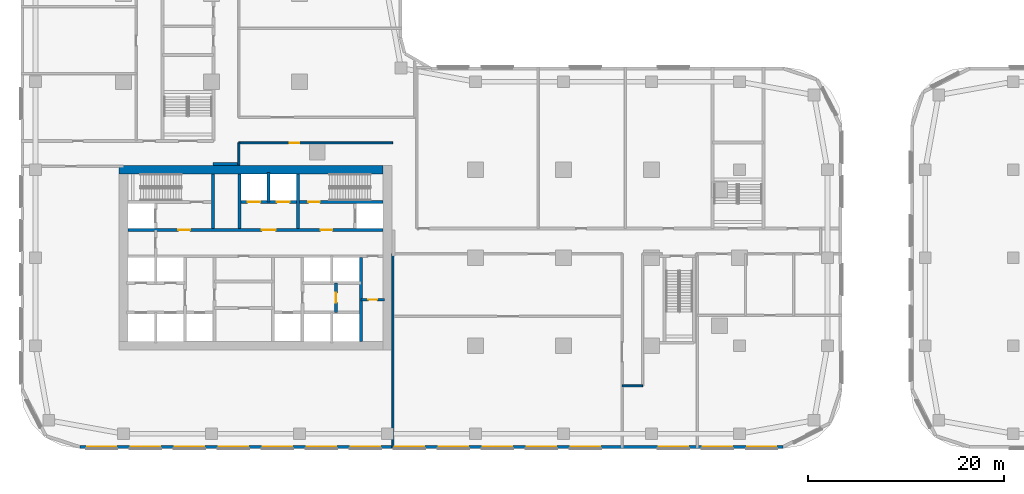
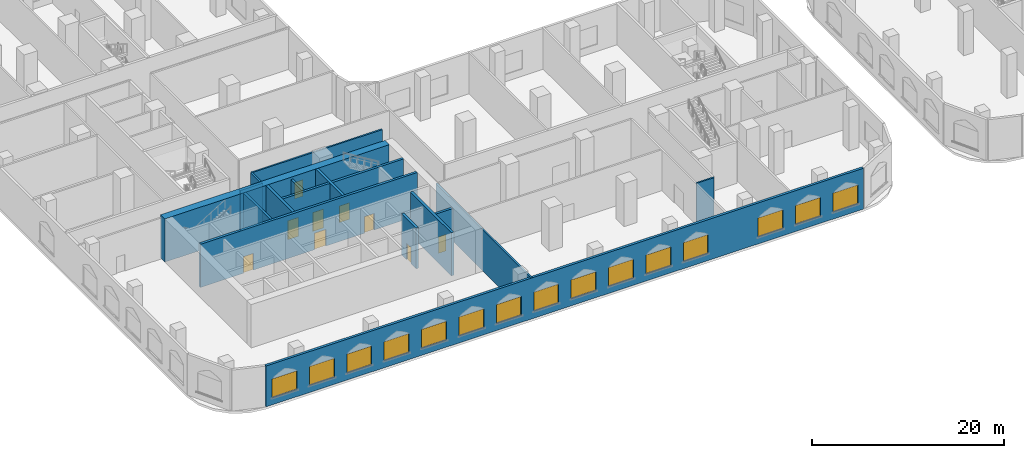
# One storey, part 4 of 31: 16 walls, 15 windows, 9 doors, 24 openings.
"""IFC4 building model written with IfcOpenShell, lengths in metres."""

from ifc_helpers import new_model, si_unit, direction, frame, frame_2d, origin, place, context, subcontext, project, spatial, rectangle, extrude, material, layer, layer_set, type_object, element, fill, save


model = new_model("IFC4")

# Units and contexts
model_context = context("Model", 3, precision=1e-05, world=origin(), true_north=direction((0.0, 1.0)))
body_context = subcontext(model_context, "Body", "Model", "MODEL_VIEW")
ifc_project = project(units=[si_unit("LENGTHUNIT", "METRE"), si_unit("AREAUNIT", "SQUARE_METRE"), si_unit("VOLUMEUNIT", "CUBIC_METRE"), si_unit("PLANEANGLEUNIT", "RADIAN"), si_unit("MASSUNIT", "GRAM", prefix="KILO")], contexts=[model_context])

# Site, building, storey
site_placement = place(None, origin())
site = spatial("IfcSite", under=ifc_project, at=site_placement, CompositionType="ELEMENT")
building_placement = place(site_placement, origin())
building = spatial("IfcBuilding", under=site, at=building_placement, Name="Ogive Portal Towers", CompositionType="ELEMENT")
storey_placement = place(building_placement, frame((0.0, 0.0, 8.0)))
storey = spatial("IfcBuildingStorey", under=building, at=storey_placement, Name="L01", CompositionType="ELEMENT", Elevation=8.0)

# Wall
ifc_material_1 = material(Name="Concrete C60/75", Category="concrete")
ifc_layer_1 = layer(ifc_material_1, 0.300048828125)
ifc_layer_set_1 = layer_set([ifc_layer_1], Name="CORE WALL 300 C60")
wall_type_1 = type_object("IfcWallType", Name="CORE WALL 300 C60", PredefinedType="SHEAR", material=ifc_layer_set_1)
wall_1_placement = place(storey_placement, frame((55.800048828125, 21.949951171875, 0.0), z_axis=(0.0, 0.0, 1.0), x_axis=(0.0, 1.0, 0.0)))
element("IfcWall", 1, at=wall_1_placement, inside=storey, type_object=wall_type_1, Name="Core wall X5 L01", PredefinedType="SHEAR", context=body_context, shape_type="SweptSolid", body=[
    extrude(rectangle(XDim=8.550048828125, YDim=0.300048828125, at=frame_2d((4.27490234375, 0.0))), origin(), (0.0, 0.0, 1.0), 5.5),
])

# Wall, openings, doors
wall_2_placement = place(storey_placement, frame((31.949951171875, 33.35009765625, 0.0), z_axis=(0.0, 0.0, 1.0), x_axis=(1.0, 0.0, 0.0)))
wall_2 = element("IfcWall", 2, at=wall_2_placement, inside=storey, type_object=wall_type_1, Name="Core wall Y2 L01", PredefinedType="SHEAR", context=body_context, shape_type="SweptSolid", body=[
    extrude(rectangle(XDim=26.10009765625, YDim=0.300048828125, at=frame_2d((13.050048828125, 0.0))), origin(), (0.0, 0.0, 1.0), 5.5),
])
opening_1_placement = place(wall_2_placement, frame((13.699951171875, 0.0, 0.0)))
opening_1 = element("IfcOpeningElement", 3, at=opening_1_placement, cuts=wall_2, Name="Opening D103-002", PredefinedType="OPENING", context=body_context, shape_type="SweptSolid", body=[
    extrude(rectangle(XDim=1.39990234375, YDim=2.10009765625, at=frame_2d((0.699951171875, 1.050048828125))), frame((0.0, 0.16015625, 0.0), z_axis=(0.0, -1.0, 0.0), x_axis=(1.0, 0.0, 0.0)), (0.0, 0.0, 1.0), 0.320068359375),
])
opening_2_placement = place(wall_2_placement, frame((5.175048828125, 0.0, 0.0)))
opening_2 = element("IfcOpeningElement", 4, at=opening_2_placement, cuts=wall_2, Name="Opening D103-003", PredefinedType="OPENING", context=body_context, shape_type="SweptSolid", body=[
    extrude(rectangle(XDim=1.199951171875, YDim=2.10009765625, at=frame_2d((0.60009765625, 1.050048828125))), frame((0.0, 0.16015625, 0.0), z_axis=(0.0, -1.0, 0.0), x_axis=(1.0, 0.0, 0.0)), (0.0, 0.0, 1.0), 0.320068359375),
])
opening_3_placement = place(wall_2_placement, frame((19.72509765625, 0.0, 0.0)))
opening_3 = element("IfcOpeningElement", 5, at=opening_3_placement, cuts=wall_2, Name="Opening D103-004", PredefinedType="OPENING", context=body_context, shape_type="SweptSolid", body=[
    extrude(rectangle(XDim=1.199951171875, YDim=2.10009765625, at=frame_2d((0.60009765625, 1.050048828125))), frame((0.0, 0.16015625, 0.0), z_axis=(0.0, -1.0, 0.0), x_axis=(1.0, 0.0, 0.0)), (0.0, 0.0, 1.0), 0.320068359375),
])
ifc_material_2 = material(Name="Steel fire door", Category="steel")
door_type_1 = type_object("IfcDoorType", Name="DT-SWING-1200x2100-FD90S", OperationType="SINGLE_SWING_LEFT", PredefinedType="DOOR", material=ifc_material_2)
door_1_placement = place(opening_2_placement, origin())
door_1 = element("IfcDoor", 6, at=door_1_placement, inside=storey, type_object=door_type_1, Name="Door D103-003", OperationType="SINGLE_SWING_LEFT", OverallHeight=2.10009765625, OverallWidth=1.199951171875, PredefinedType="DOOR", context=body_context, shape_type="SweptSolid", body=[
    extrude(rectangle(XDim=1.199951171875, YDim=2.10009765625, at=frame_2d((0.60009765625, 1.050048828125))), frame((0.0, 0.02490234375, 0.0), z_axis=(0.0, -1.0, 0.0), x_axis=(1.0, 0.0, 0.0)), (0.0, 0.0, 1.0), 0.050048828125),
])
fill(opening_2, door_1)
door_2_placement = place(opening_3_placement, origin())
door_2 = element("IfcDoor", 7, at=door_2_placement, inside=storey, type_object=door_type_1, Name="Door D103-004", OperationType="SINGLE_SWING_RIGHT", OverallHeight=2.10009765625, OverallWidth=1.199951171875, PredefinedType="DOOR", context=body_context, shape_type="SweptSolid", body=[
    extrude(rectangle(XDim=1.199951171875, YDim=2.10009765625, at=frame_2d((0.60009765625, 1.050048828125))), frame((0.0, 0.02490234375, 0.0), z_axis=(0.0, -1.0, 0.0), x_axis=(1.0, 0.0, 0.0)), (0.0, 0.0, 1.0), 0.050048828125),
])
fill(opening_3, door_2)
door_type_2 = type_object("IfcDoorType", Name="DT-SWING-1400x2100-FD90S", OperationType="SINGLE_SWING_LEFT", PredefinedType="DOOR", material=ifc_material_2)
door_3_placement = place(opening_1_placement, origin())
door_3 = element("IfcDoor", 8, at=door_3_placement, inside=storey, type_object=door_type_2, Name="Door D103-002", OperationType="SINGLE_SWING_RIGHT", OverallHeight=2.10009765625, OverallWidth=1.39990234375, PredefinedType="DOOR", context=body_context, shape_type="SweptSolid", body=[
    extrude(rectangle(XDim=1.39990234375, YDim=2.10009765625, at=frame_2d((0.699951171875, 1.050048828125))), frame((0.0, 0.02490234375, 0.0), z_axis=(0.0, -1.0, 0.0), x_axis=(1.0, 0.0, 0.0)), (0.0, 0.0, 1.0), 0.050048828125),
])
fill(opening_1, door_3)

wall_3_placement = place(storey_placement, frame((43.5, 36.199951171875, 0.0), z_axis=(0.0, 0.0, 1.0), x_axis=(1.0, 0.0, 0.0)))
wall_3 = element("IfcWall", 9, at=wall_3_placement, inside=storey, type_object=wall_type_1, Name="Core wall Y3b L01", PredefinedType="SHEAR", context=body_context, shape_type="SweptSolid", body=[
    extrude(rectangle(XDim=14.550048828125, YDim=0.300048828125, at=frame_2d((7.27490234375, 0.0))), origin(), (0.0, 0.0, 1.0), 5.5),
])
opening_4_placement = place(wall_3_placement, frame((6.89990234375, 0.0, 0.0)))
opening_4 = element("IfcOpeningElement", 10, at=opening_4_placement, cuts=wall_3, Name="Opening D103-006", PredefinedType="OPENING", context=body_context, shape_type="SweptSolid", body=[
    extrude(rectangle(XDim=1.199951171875, YDim=2.10009765625, at=frame_2d((0.60009765625, 1.050048828125))), frame((0.0, 0.16015625, 0.0), z_axis=(0.0, -1.0, 0.0), x_axis=(1.0, 0.0, 0.0)), (0.0, 0.0, 1.0), 0.320068359375),
])
opening_5_placement = place(wall_3_placement, frame((0.699951171875, 0.0, 0.0)))
opening_5 = element("IfcOpeningElement", 11, at=opening_5_placement, cuts=wall_3, Name="Opening D103-015", PredefinedType="OPENING", context=body_context, shape_type="SweptSolid", body=[
    extrude(rectangle(XDim=1.300048828125, YDim=2.39990234375, at=frame_2d((0.64990234375, 1.199951171875))), frame((0.0, 0.16015625, 0.0), z_axis=(0.0, -1.0, 0.0), x_axis=(1.0, 0.0, 0.0)), (0.0, 0.0, 1.0), 0.320068359375),
])
opening_6_placement = place(wall_3_placement, frame((3.699951171875, 0.0, 0.0)))
opening_6 = element("IfcOpeningElement", 12, at=opening_6_placement, cuts=wall_3, Name="Opening D103-016", PredefinedType="OPENING", context=body_context, shape_type="SweptSolid", body=[
    extrude(rectangle(XDim=1.300048828125, YDim=2.39990234375, at=frame_2d((0.64990234375, 1.199951171875))), frame((0.0, 0.16015625, 0.0), z_axis=(0.0, -1.0, 0.0), x_axis=(1.0, 0.0, 0.0)), (0.0, 0.0, 1.0), 0.320068359375),
])
ifc_material_3 = material(Name="Stainless steel", Category="steel")
door_type_3 = type_object("IfcDoorType", Name="DT-LD-1300x2400", OperationType="SLIDING_TO_LEFT", PredefinedType="DOOR", material=ifc_material_3)
door_4_placement = place(opening_5_placement, origin())
door_4 = element("IfcDoor", 13, at=door_4_placement, inside=storey, type_object=door_type_3, Name="Door D103-015", OperationType="SLIDING_TO_LEFT", OverallHeight=2.39990234375, OverallWidth=1.300048828125, PredefinedType="DOOR", context=body_context, shape_type="SweptSolid", body=[
    extrude(rectangle(XDim=1.300048828125, YDim=2.39990234375, at=frame_2d((0.64990234375, 1.199951171875))), frame((0.0, 0.02490234375, 0.0), z_axis=(0.0, -1.0, 0.0), x_axis=(1.0, 0.0, 0.0)), (0.0, 0.0, 1.0), 0.050048828125),
])
fill(opening_5, door_4)
door_5_placement = place(opening_6_placement, origin())
door_5 = element("IfcDoor", 14, at=door_5_placement, inside=storey, type_object=door_type_3, Name="Door D103-016", OperationType="SLIDING_TO_LEFT", OverallHeight=2.39990234375, OverallWidth=1.300048828125, PredefinedType="DOOR", context=body_context, shape_type="SweptSolid", body=[
    extrude(rectangle(XDim=1.300048828125, YDim=2.39990234375, at=frame_2d((0.64990234375, 1.199951171875))), frame((0.0, 0.02490234375, 0.0), z_axis=(0.0, -1.0, 0.0), x_axis=(1.0, 0.0, 0.0)), (0.0, 0.0, 1.0), 0.050048828125),
])
fill(opening_6, door_5)
door_6_placement = place(opening_4_placement, origin())
door_6 = element("IfcDoor", 15, at=door_6_placement, inside=storey, type_object=door_type_1, Name="Door D103-006", OperationType="SINGLE_SWING_LEFT", OverallHeight=2.10009765625, OverallWidth=1.199951171875, PredefinedType="DOOR", context=body_context, shape_type="SweptSolid", body=[
    extrude(rectangle(XDim=1.199951171875, YDim=2.10009765625, at=frame_2d((0.60009765625, 1.050048828125))), frame((0.0, 0.02490234375, 0.0), z_axis=(0.0, -1.0, 0.0), x_axis=(1.0, 0.0, 0.0)), (0.0, 0.0, 1.0), 0.050048828125),
])
fill(opening_4, door_6)

# Walls
for number, where, z_axis, x_axis, name in (
    (16, (40.64990234375, 33.5, 0.0), (0.0, 0.0, 1.0), (0.0, 1.0, 0.0), "Core wall X6 L01"),
    (17, (43.35009765625, 33.5, 0.0), (0.0, 0.0, 1.0), (0.0, 1.0, 0.0), "Core wall X7 L01"),
    (18, (49.35009765625, 33.5, 0.0), (0.0, 0.0, 1.0), (0.0, 1.0, 0.0), "Core wall X9 L01"),
):
    element("IfcWall", number, at=place(storey_placement, frame(where, z_axis=z_axis, x_axis=x_axis)), inside=storey, type_object=wall_type_1, Name=name, PredefinedType="SHEAR", context=body_context, shape_type="SweptSolid", body=[
        extrude(rectangle(XDim=5.550048828125, YDim=0.300048828125, at=frame_2d((2.77490234375, 0.0))), origin(), (0.0, 0.0, 1.0), 5.5),
    ])
ifc_layer_2 = layer(ifc_material_1, 0.89990234375)
ifc_layer_set_2 = layer_set([ifc_layer_2], Name="CORE WALL 900 C60")
wall_type_2 = type_object("IfcWallType", Name="CORE WALL 900 C60", PredefinedType="SHEAR", material=ifc_layer_set_2)
wall_4_placement = place(storey_placement, frame((31.050048828125, 39.5, 0.0), z_axis=(0.0, 0.0, 1.0), x_axis=(1.0, 0.0, 0.0)))
element("IfcWall", 19, at=wall_4_placement, inside=storey, type_object=wall_type_2, Name="Core wall N L01", PredefinedType="SHEAR", context=body_context, shape_type="SweptSolid", body=[
    extrude(rectangle(XDim=27.0, YDim=0.89990234375, at=frame_2d((13.5, 0.0))), origin(), (0.0, 0.0, 1.0), 5.5),
])

# Wall, openings, windows
ifc_material_4 = material(Name="Limestone cladding on lightweight block wall", Category="masonry")
ifc_layer_3 = layer(ifc_material_4, 0.300048828125)
ifc_layer_set_3 = layer_set([ifc_layer_3], Name="EXTERNAL WALL 300 STONE")
wall_type_3 = type_object("IfcWallType", Name="EXTERNAL WALL 300 STONE", PredefinedType="SOLIDWALL", material=ifc_layer_set_3)
wall_5_placement = place(storey_placement, frame((27.047607421875, 11.14990234375, 0.0), z_axis=(0.0, 0.0, 1.0), x_axis=(1.0, 0.0, 0.0)))
wall_5 = element("IfcWall", 20, at=wall_5_placement, inside=storey, type_object=wall_type_3, Name="A:L01:f02:w0", PredefinedType="SOLIDWALL", context=body_context, shape_type="SweptSolid", body=[
    extrude(rectangle(XDim=71.88037109375, YDim=0.300048828125, at=frame_2d((35.940185546875, 0.0))), origin(), (0.0, 0.0, 1.0), 5.199951171875),
])
opening_7_placement = place(wall_5_placement, frame((0.726318359375, 0.0, 0.89990234375)))
opening_7 = element("IfcOpeningElement", 21, at=opening_7_placement, cuts=wall_5, Name="Opening WN3", PredefinedType="OPENING", context=body_context, shape_type="SweptSolid", body=[
    extrude(rectangle(XDim=3.0, YDim=2.39990234375, at=frame_2d((1.5, 1.199951171875))), frame((0.0, 0.16015625, 0.0), z_axis=(0.0, -1.0, 0.0), x_axis=(1.0, 0.0, 0.0)), (0.0, 0.0, 1.0), 0.320068359375),
])
opening_8_placement = place(wall_5_placement, frame((5.202392578125, 0.0, 0.89990234375)))
opening_8 = element("IfcOpeningElement", 22, at=opening_8_placement, cuts=wall_5, Name="Opening WN3", PredefinedType="OPENING", context=body_context, shape_type="SweptSolid", body=[
    extrude(rectangle(XDim=3.0, YDim=2.39990234375, at=frame_2d((1.5, 1.199951171875))), frame((0.0, 0.16015625, 0.0), z_axis=(0.0, -1.0, 0.0), x_axis=(1.0, 0.0, 0.0)), (0.0, 0.0, 1.0), 0.320068359375),
])
opening_9_placement = place(wall_5_placement, frame((9.702392578125, 0.0, 0.89990234375)))
opening_9 = element("IfcOpeningElement", 23, at=opening_9_placement, cuts=wall_5, Name="Opening WN3", PredefinedType="OPENING", context=body_context, shape_type="SweptSolid", body=[
    extrude(rectangle(XDim=3.0, YDim=2.39990234375, at=frame_2d((1.5, 1.199951171875))), frame((0.0, 0.16015625, 0.0), z_axis=(0.0, -1.0, 0.0), x_axis=(1.0, 0.0, 0.0)), (0.0, 0.0, 1.0), 0.320068359375),
])
opening_10_placement = place(wall_5_placement, frame((14.202392578125, 0.0, 0.89990234375)))
opening_10 = element("IfcOpeningElement", 24, at=opening_10_placement, cuts=wall_5, Name="Opening WN3", PredefinedType="OPENING", context=body_context, shape_type="SweptSolid", body=[
    extrude(rectangle(XDim=3.0, YDim=2.39990234375, at=frame_2d((1.5, 1.199951171875))), frame((0.0, 0.16015625, 0.0), z_axis=(0.0, -1.0, 0.0), x_axis=(1.0, 0.0, 0.0)), (0.0, 0.0, 1.0), 0.320068359375),
])
opening_11_placement = place(wall_5_placement, frame((18.702392578125, 0.0, 0.89990234375)))
opening_11 = element("IfcOpeningElement", 25, at=opening_11_placement, cuts=wall_5, Name="Opening WN3", PredefinedType="OPENING", context=body_context, shape_type="SweptSolid", body=[
    extrude(rectangle(XDim=3.0, YDim=2.39990234375, at=frame_2d((1.5, 1.199951171875))), frame((0.0, 0.16015625, 0.0), z_axis=(0.0, -1.0, 0.0), x_axis=(1.0, 0.0, 0.0)), (0.0, 0.0, 1.0), 0.320068359375),
])
opening_12_placement = place(wall_5_placement, frame((23.202392578125, 0.0, 0.89990234375)))
opening_12 = element("IfcOpeningElement", 26, at=opening_12_placement, cuts=wall_5, Name="Opening WN3", PredefinedType="OPENING", context=body_context, shape_type="SweptSolid", body=[
    extrude(rectangle(XDim=3.0, YDim=2.39990234375, at=frame_2d((1.5, 1.199951171875))), frame((0.0, 0.16015625, 0.0), z_axis=(0.0, -1.0, 0.0), x_axis=(1.0, 0.0, 0.0)), (0.0, 0.0, 1.0), 0.320068359375),
])
opening_13_placement = place(wall_5_placement, frame((27.702392578125, 0.0, 0.89990234375)))
opening_13 = element("IfcOpeningElement", 27, at=opening_13_placement, cuts=wall_5, Name="Opening WN3", PredefinedType="OPENING", context=body_context, shape_type="SweptSolid", body=[
    extrude(rectangle(XDim=3.0, YDim=2.39990234375, at=frame_2d((1.5, 1.199951171875))), frame((0.0, 0.16015625, 0.0), z_axis=(0.0, -1.0, 0.0), x_axis=(1.0, 0.0, 0.0)), (0.0, 0.0, 1.0), 0.320068359375),
])
opening_14_placement = place(wall_5_placement, frame((32.202392578125, 0.0, 0.89990234375)))
opening_14 = element("IfcOpeningElement", 28, at=opening_14_placement, cuts=wall_5, Name="Opening WN3", PredefinedType="OPENING", context=body_context, shape_type="SweptSolid", body=[
    extrude(rectangle(XDim=3.0, YDim=2.39990234375, at=frame_2d((1.5, 1.199951171875))), frame((0.0, 0.16015625, 0.0), z_axis=(0.0, -1.0, 0.0), x_axis=(1.0, 0.0, 0.0)), (0.0, 0.0, 1.0), 0.320068359375),
])
opening_15_placement = place(wall_5_placement, frame((36.702392578125, 0.0, 0.89990234375)))
opening_15 = element("IfcOpeningElement", 29, at=opening_15_placement, cuts=wall_5, Name="Opening WN3", PredefinedType="OPENING", context=body_context, shape_type="SweptSolid", body=[
    extrude(rectangle(XDim=3.0, YDim=2.39990234375, at=frame_2d((1.5, 1.199951171875))), frame((0.0, 0.16015625, 0.0), z_axis=(0.0, -1.0, 0.0), x_axis=(1.0, 0.0, 0.0)), (0.0, 0.0, 1.0), 0.320068359375),
])
opening_16_placement = place(wall_5_placement, frame((41.202392578125, 0.0, 0.89990234375)))
opening_16 = element("IfcOpeningElement", 30, at=opening_16_placement, cuts=wall_5, Name="Opening WN3", PredefinedType="OPENING", context=body_context, shape_type="SweptSolid", body=[
    extrude(rectangle(XDim=3.0, YDim=2.39990234375, at=frame_2d((1.5, 1.199951171875))), frame((0.0, 0.16015625, 0.0), z_axis=(0.0, -1.0, 0.0), x_axis=(1.0, 0.0, 0.0)), (0.0, 0.0, 1.0), 0.320068359375),
])
opening_17_placement = place(wall_5_placement, frame((45.702392578125, 0.0, 0.89990234375)))
opening_17 = element("IfcOpeningElement", 31, at=opening_17_placement, cuts=wall_5, Name="Opening WN3", PredefinedType="OPENING", context=body_context, shape_type="SweptSolid", body=[
    extrude(rectangle(XDim=3.0, YDim=2.39990234375, at=frame_2d((1.5, 1.199951171875))), frame((0.0, 0.16015625, 0.0), z_axis=(0.0, -1.0, 0.0), x_axis=(1.0, 0.0, 0.0)), (0.0, 0.0, 1.0), 0.320068359375),
])
opening_18_placement = place(wall_5_placement, frame((50.202392578125, 0.0, 0.89990234375)))
opening_18 = element("IfcOpeningElement", 32, at=opening_18_placement, cuts=wall_5, Name="Opening WN3", PredefinedType="OPENING", context=body_context, shape_type="SweptSolid", body=[
    extrude(rectangle(XDim=3.0, YDim=2.39990234375, at=frame_2d((1.5, 1.199951171875))), frame((0.0, 0.16015625, 0.0), z_axis=(0.0, -1.0, 0.0), x_axis=(1.0, 0.0, 0.0)), (0.0, 0.0, 1.0), 0.320068359375),
])
opening_19_placement = place(wall_5_placement, frame((59.202392578125, 0.0, 0.89990234375)))
opening_19 = element("IfcOpeningElement", 33, at=opening_19_placement, cuts=wall_5, Name="Opening WN3", PredefinedType="OPENING", context=body_context, shape_type="SweptSolid", body=[
    extrude(rectangle(XDim=3.0, YDim=2.39990234375, at=frame_2d((1.5, 1.199951171875))), frame((0.0, 0.16015625, 0.0), z_axis=(0.0, -1.0, 0.0), x_axis=(1.0, 0.0, 0.0)), (0.0, 0.0, 1.0), 0.320068359375),
])
opening_20_placement = place(wall_5_placement, frame((63.702392578125, 0.0, 0.89990234375)))
opening_20 = element("IfcOpeningElement", 34, at=opening_20_placement, cuts=wall_5, Name="Opening WN3", PredefinedType="OPENING", context=body_context, shape_type="SweptSolid", body=[
    extrude(rectangle(XDim=3.0, YDim=2.39990234375, at=frame_2d((1.5, 1.199951171875))), frame((0.0, 0.16015625, 0.0), z_axis=(0.0, -1.0, 0.0), x_axis=(1.0, 0.0, 0.0)), (0.0, 0.0, 1.0), 0.320068359375),
])
opening_21_placement = place(wall_5_placement, frame((68.226318359375, 0.0, 0.89990234375)))
opening_21 = element("IfcOpeningElement", 35, at=opening_21_placement, cuts=wall_5, Name="Opening WN3", PredefinedType="OPENING", context=body_context, shape_type="SweptSolid", body=[
    extrude(rectangle(XDim=3.0, YDim=2.39990234375, at=frame_2d((1.5, 1.199951171875))), frame((0.0, 0.16015625, 0.0), z_axis=(0.0, -1.0, 0.0), x_axis=(1.0, 0.0, 0.0)), (0.0, 0.0, 1.0), 0.320068359375),
])
ifc_material_5 = material(Name="Glass, clear low-iron insulated glazing", Category="glass")
window_type = type_object("IfcWindowType", Name="WINDOW PODIUM 3000x2400", PartitioningType="SINGLE_PANEL", PredefinedType="WINDOW", material=ifc_material_5)
window_1_placement = place(opening_7_placement, origin())
window_1 = element("IfcWindow", 36, at=window_1_placement, inside=storey, type_object=window_type, Name="A:L01:f02:w0:o0", OverallHeight=2.39990234375, OverallWidth=3.0, PartitioningType="SINGLE_PANEL", PredefinedType="WINDOW", context=body_context, shape_type="SweptSolid", body=[
    extrude(rectangle(XDim=3.0, YDim=2.39990234375, at=frame_2d((1.5, 1.199951171875))), frame((0.0, 0.030029296875, 0.0), z_axis=(0.0, -1.0, 0.0), x_axis=(1.0, 0.0, 0.0)), (0.0, 0.0, 1.0), 0.06005859375),
])
fill(opening_7, window_1)
window_2_placement = place(opening_8_placement, origin())
window_2 = element("IfcWindow", 37, at=window_2_placement, inside=storey, type_object=window_type, Name="A:L01:f02:w0:o1a", OverallHeight=2.39990234375, OverallWidth=3.0, PartitioningType="SINGLE_PANEL", PredefinedType="WINDOW", context=body_context, shape_type="SweptSolid", body=[
    extrude(rectangle(XDim=3.0, YDim=2.39990234375, at=frame_2d((1.5, 1.199951171875))), frame((0.0, 0.030029296875, 0.0), z_axis=(0.0, -1.0, 0.0), x_axis=(1.0, 0.0, 0.0)), (0.0, 0.0, 1.0), 0.06005859375),
])
fill(opening_8, window_2)
window_3_placement = place(opening_9_placement, origin())
window_3 = element("IfcWindow", 38, at=window_3_placement, inside=storey, type_object=window_type, Name="A:L01:f02:w0:o1b", OverallHeight=2.39990234375, OverallWidth=3.0, PartitioningType="SINGLE_PANEL", PredefinedType="WINDOW", context=body_context, shape_type="SweptSolid", body=[
    extrude(rectangle(XDim=3.0, YDim=2.39990234375, at=frame_2d((1.5, 1.199951171875))), frame((0.0, 0.030029296875, 0.0), z_axis=(0.0, -1.0, 0.0), x_axis=(1.0, 0.0, 0.0)), (0.0, 0.0, 1.0), 0.06005859375),
])
fill(opening_9, window_3)
window_4_placement = place(opening_10_placement, origin())
window_4 = element("IfcWindow", 39, at=window_4_placement, inside=storey, type_object=window_type, Name="A:L01:f02:w0:o2a", OverallHeight=2.39990234375, OverallWidth=3.0, PartitioningType="SINGLE_PANEL", PredefinedType="WINDOW", context=body_context, shape_type="SweptSolid", body=[
    extrude(rectangle(XDim=3.0, YDim=2.39990234375, at=frame_2d((1.5, 1.199951171875))), frame((0.0, 0.030029296875, 0.0), z_axis=(0.0, -1.0, 0.0), x_axis=(1.0, 0.0, 0.0)), (0.0, 0.0, 1.0), 0.06005859375),
])
fill(opening_10, window_4)
window_5_placement = place(opening_11_placement, origin())
window_5 = element("IfcWindow", 40, at=window_5_placement, inside=storey, type_object=window_type, Name="A:L01:f02:w0:o2b", OverallHeight=2.39990234375, OverallWidth=3.0, PartitioningType="SINGLE_PANEL", PredefinedType="WINDOW", context=body_context, shape_type="SweptSolid", body=[
    extrude(rectangle(XDim=3.0, YDim=2.39990234375, at=frame_2d((1.5, 1.199951171875))), frame((0.0, 0.030029296875, 0.0), z_axis=(0.0, -1.0, 0.0), x_axis=(1.0, 0.0, 0.0)), (0.0, 0.0, 1.0), 0.06005859375),
])
fill(opening_11, window_5)
window_6_placement = place(opening_12_placement, origin())
window_6 = element("IfcWindow", 41, at=window_6_placement, inside=storey, type_object=window_type, Name="A:L01:f02:w0:o3a", OverallHeight=2.39990234375, OverallWidth=3.0, PartitioningType="SINGLE_PANEL", PredefinedType="WINDOW", context=body_context, shape_type="SweptSolid", body=[
    extrude(rectangle(XDim=3.0, YDim=2.39990234375, at=frame_2d((1.5, 1.199951171875))), frame((0.0, 0.030029296875, 0.0), z_axis=(0.0, -1.0, 0.0), x_axis=(1.0, 0.0, 0.0)), (0.0, 0.0, 1.0), 0.06005859375),
])
fill(opening_12, window_6)
window_7_placement = place(opening_13_placement, origin())
window_7 = element("IfcWindow", 42, at=window_7_placement, inside=storey, type_object=window_type, Name="A:L01:f02:w0:o3b", OverallHeight=2.39990234375, OverallWidth=3.0, PartitioningType="SINGLE_PANEL", PredefinedType="WINDOW", context=body_context, shape_type="SweptSolid", body=[
    extrude(rectangle(XDim=3.0, YDim=2.39990234375, at=frame_2d((1.5, 1.199951171875))), frame((0.0, 0.030029296875, 0.0), z_axis=(0.0, -1.0, 0.0), x_axis=(1.0, 0.0, 0.0)), (0.0, 0.0, 1.0), 0.06005859375),
])
fill(opening_13, window_7)
window_8_placement = place(opening_14_placement, origin())
window_8 = element("IfcWindow", 43, at=window_8_placement, inside=storey, type_object=window_type, Name="A:L01:f02:w0:o4a", OverallHeight=2.39990234375, OverallWidth=3.0, PartitioningType="SINGLE_PANEL", PredefinedType="WINDOW", context=body_context, shape_type="SweptSolid", body=[
    extrude(rectangle(XDim=3.0, YDim=2.39990234375, at=frame_2d((1.5, 1.199951171875))), frame((0.0, 0.030029296875, 0.0), z_axis=(0.0, -1.0, 0.0), x_axis=(1.0, 0.0, 0.0)), (0.0, 0.0, 1.0), 0.06005859375),
])
fill(opening_14, window_8)
window_9_placement = place(opening_15_placement, origin())
window_9 = element("IfcWindow", 44, at=window_9_placement, inside=storey, type_object=window_type, Name="A:L01:f02:w0:o4b", OverallHeight=2.39990234375, OverallWidth=3.0, PartitioningType="SINGLE_PANEL", PredefinedType="WINDOW", context=body_context, shape_type="SweptSolid", body=[
    extrude(rectangle(XDim=3.0, YDim=2.39990234375, at=frame_2d((1.5, 1.199951171875))), frame((0.0, 0.030029296875, 0.0), z_axis=(0.0, -1.0, 0.0), x_axis=(1.0, 0.0, 0.0)), (0.0, 0.0, 1.0), 0.06005859375),
])
fill(opening_15, window_9)
window_10_placement = place(opening_16_placement, origin())
window_10 = element("IfcWindow", 45, at=window_10_placement, inside=storey, type_object=window_type, Name="A:L01:f02:w0:o5a", OverallHeight=2.39990234375, OverallWidth=3.0, PartitioningType="SINGLE_PANEL", PredefinedType="WINDOW", context=body_context, shape_type="SweptSolid", body=[
    extrude(rectangle(XDim=3.0, YDim=2.39990234375, at=frame_2d((1.5, 1.199951171875))), frame((0.0, 0.030029296875, 0.0), z_axis=(0.0, -1.0, 0.0), x_axis=(1.0, 0.0, 0.0)), (0.0, 0.0, 1.0), 0.06005859375),
])
fill(opening_16, window_10)
window_11_placement = place(opening_17_placement, origin())
window_11 = element("IfcWindow", 46, at=window_11_placement, inside=storey, type_object=window_type, Name="A:L01:f02:w0:o5b", OverallHeight=2.39990234375, OverallWidth=3.0, PartitioningType="SINGLE_PANEL", PredefinedType="WINDOW", context=body_context, shape_type="SweptSolid", body=[
    extrude(rectangle(XDim=3.0, YDim=2.39990234375, at=frame_2d((1.5, 1.199951171875))), frame((0.0, 0.030029296875, 0.0), z_axis=(0.0, -1.0, 0.0), x_axis=(1.0, 0.0, 0.0)), (0.0, 0.0, 1.0), 0.06005859375),
])
fill(opening_17, window_11)
window_12_placement = place(opening_18_placement, origin())
window_12 = element("IfcWindow", 47, at=window_12_placement, inside=storey, type_object=window_type, Name="A:L01:f02:w0:o6a", OverallHeight=2.39990234375, OverallWidth=3.0, PartitioningType="SINGLE_PANEL", PredefinedType="WINDOW", context=body_context, shape_type="SweptSolid", body=[
    extrude(rectangle(XDim=3.0, YDim=2.39990234375, at=frame_2d((1.5, 1.199951171875))), frame((0.0, 0.030029296875, 0.0), z_axis=(0.0, -1.0, 0.0), x_axis=(1.0, 0.0, 0.0)), (0.0, 0.0, 1.0), 0.06005859375),
])
fill(opening_18, window_12)
window_13_placement = place(opening_19_placement, origin())
window_13 = element("IfcWindow", 48, at=window_13_placement, inside=storey, type_object=window_type, Name="A:L01:f02:w0:o7a", OverallHeight=2.39990234375, OverallWidth=3.0, PartitioningType="SINGLE_PANEL", PredefinedType="WINDOW", context=body_context, shape_type="SweptSolid", body=[
    extrude(rectangle(XDim=3.0, YDim=2.39990234375, at=frame_2d((1.5, 1.199951171875))), frame((0.0, 0.030029296875, 0.0), z_axis=(0.0, -1.0, 0.0), x_axis=(1.0, 0.0, 0.0)), (0.0, 0.0, 1.0), 0.06005859375),
])
fill(opening_19, window_13)
window_14_placement = place(opening_20_placement, origin())
window_14 = element("IfcWindow", 49, at=window_14_placement, inside=storey, type_object=window_type, Name="A:L01:f02:w0:o7b", OverallHeight=2.39990234375, OverallWidth=3.0, PartitioningType="SINGLE_PANEL", PredefinedType="WINDOW", context=body_context, shape_type="SweptSolid", body=[
    extrude(rectangle(XDim=3.0, YDim=2.39990234375, at=frame_2d((1.5, 1.199951171875))), frame((0.0, 0.030029296875, 0.0), z_axis=(0.0, -1.0, 0.0), x_axis=(1.0, 0.0, 0.0)), (0.0, 0.0, 1.0), 0.06005859375),
])
fill(opening_20, window_14)
window_15_placement = place(opening_21_placement, origin())
window_15 = element("IfcWindow", 50, at=window_15_placement, inside=storey, type_object=window_type, Name="A:L01:f02:w0:o8", OverallHeight=2.39990234375, OverallWidth=3.0, PartitioningType="SINGLE_PANEL", PredefinedType="WINDOW", context=body_context, shape_type="SweptSolid", body=[
    extrude(rectangle(XDim=3.0, YDim=2.39990234375, at=frame_2d((1.5, 1.199951171875))), frame((0.0, 0.030029296875, 0.0), z_axis=(0.0, -1.0, 0.0), x_axis=(1.0, 0.0, 0.0)), (0.0, 0.0, 1.0), 0.06005859375),
])
fill(opening_21, window_15)

# Wall
ifc_material_6 = material(Name="Gypsum board partition on steel studs", Category="steel")
ifc_layer_4 = layer(ifc_material_6, 0.199951171875)
ifc_layer_set_4 = layer_set([ifc_layer_4], Name="WT-PART-200-EI 60")
wall_type_4 = type_object("IfcWallType", Name="WT-PART-200-EI 60", PredefinedType="PARTITIONING", material=ifc_layer_set_4)
wall_6_placement = place(storey_placement, frame((82.5, 17.39990234375, 0.0), z_axis=(0.0, 0.0, 1.0), x_axis=(1.0, 0.0, 0.0)))
element("IfcWall", 51, at=wall_6_placement, inside=storey, type_object=wall_type_4, Name="Wall L01:w001", PredefinedType="PARTITIONING", context=body_context, shape_type="SweptSolid", body=[
    extrude(rectangle(XDim=2.10009765625, YDim=0.199951171875, at=frame_2d((1.050048828125, 0.0))), origin(), (0.0, 0.0, 1.0), 5.199951171875),
])

# Wall, opening, door
wall_7_placement = place(storey_placement, frame((43.300048828125, 42.25, 0.0), z_axis=(0.0, 0.0, 1.0), x_axis=(1.0, 0.0, 0.0)))
wall_7 = element("IfcWall", 52, at=wall_7_placement, inside=storey, type_object=wall_type_4, Name="Wall L01:w027", PredefinedType="PARTITIONING", context=body_context, shape_type="SweptSolid", body=[
    extrude(rectangle(XDim=15.719970703125, YDim=0.199951171875, at=frame_2d((7.85986328125, 0.0))), origin(), (0.0, 0.0, 1.0), 5.199951171875),
])
opening_22_placement = place(wall_7_placement, frame((5.199951171875, 0.0, 0.0)))
opening_22 = element("IfcOpeningElement", 53, at=opening_22_placement, cuts=wall_7, Name="Opening P01-006", PredefinedType="OPENING", context=body_context, shape_type="SweptSolid", body=[
    extrude(rectangle(XDim=1.0, YDim=2.10009765625, at=frame_2d((0.5, 1.050048828125))), frame((0.0, 0.10986328125, 0.0), z_axis=(0.0, -1.0, 0.0), x_axis=(1.0, 0.0, 0.0)), (0.0, 0.0, 1.0), 0.219970703125),
])
door_type_4 = type_object("IfcDoorType", Name="DT-SWING-1000x2100-FD60S", OperationType="SINGLE_SWING_LEFT", PredefinedType="DOOR", material=ifc_material_2)
door_7_placement = place(opening_22_placement, origin())
door_7 = element("IfcDoor", 54, at=door_7_placement, inside=storey, type_object=door_type_4, Name="Door P01-006", OperationType="SINGLE_SWING_RIGHT", OverallHeight=2.10009765625, OverallWidth=1.0, PredefinedType="DOOR", context=body_context, shape_type="SweptSolid", body=[
    extrude(rectangle(XDim=1.0, YDim=2.10009765625, at=frame_2d((0.5, 1.050048828125))), frame((0.0, 0.02490234375, 0.0), z_axis=(0.0, -1.0, 0.0), x_axis=(1.0, 0.0, 0.0)), (0.0, 0.0, 1.0), 0.050048828125),
])
fill(opening_22, door_7)

# Walls
wall_8_placement = place(storey_placement, frame((43.300048828125, 39.969970703125, 0.0), z_axis=(0.0, 0.0, 1.0), x_axis=(0.0, 1.0, 0.0)))
element("IfcWall", 55, at=wall_8_placement, inside=storey, type_object=wall_type_4, Name="Wall L01:w072", PredefinedType="PARTITIONING", context=body_context, shape_type="SweptSolid", body=[
    extrude(rectangle(XDim=2.280029296875, YDim=0.199951171875, at=frame_2d((1.14013671875, 0.0))), origin(), (0.0, 0.0, 1.0), 5.199951171875),
])
wall_9_placement = place(storey_placement, frame((59.050048828125, 11.070068359375, 0.0), z_axis=(0.0, 0.0, 1.0), x_axis=(0.0, 1.0, 0.0)))
element("IfcWall", 56, at=wall_9_placement, inside=storey, type_object=wall_type_4, Name="Wall L01:w078", PredefinedType="PARTITIONING", context=body_context, shape_type="SweptSolid", body=[
    extrude(rectangle(XDim=19.829833984375, YDim=0.199951171875, at=frame_2d((9.9150390625, 0.0))), origin(), (0.0, 0.0, 1.0), 5.199951171875),
])

# Wall, opening, door
ifc_layer_5 = layer(ifc_material_6, 0.300048828125)
ifc_layer_set_5 = layer_set([ifc_layer_5], Name="WT-PART-300")
wall_type_5 = type_object("IfcWallType", Name="WT-PART-300", PredefinedType="PARTITIONING", material=ifc_layer_set_5)
wall_10_placement = place(storey_placement, frame((55.800048828125, 26.199951171875, 0.0), z_axis=(0.0, 0.0, 1.0), x_axis=(1.0, 0.0, 0.0)))
wall_10 = element("IfcWall", 57, at=wall_10_placement, inside=storey, type_object=wall_type_5, Name="Wall pw:004:L01", PredefinedType="PARTITIONING", context=body_context, shape_type="SweptSolid", body=[
    extrude(rectangle(XDim=2.39990234375, YDim=0.300048828125, at=frame_2d((1.199951171875, 0.0))), origin(), (0.0, 0.0, 1.0), 5.199951171875),
])
opening_23_placement = place(wall_10_placement, frame((0.75, 0.0, 0.0)))
opening_23 = element("IfcOpeningElement", 58, at=opening_23_placement, cuts=wall_10, Name="Opening D103-010", PredefinedType="OPENING", context=body_context, shape_type="SweptSolid", body=[
    extrude(rectangle(XDim=0.89990234375, YDim=2.10009765625, at=frame_2d((0.449951171875, 1.050048828125))), frame((0.0, 0.16015625, 0.0), z_axis=(0.0, -1.0, 0.0), x_axis=(1.0, 0.0, 0.0)), (0.0, 0.0, 1.0), 0.320068359375),
])
door_type_5 = type_object("IfcDoorType", Name="DT-SWING-900x2100-FD60S", OperationType="SINGLE_SWING_LEFT", PredefinedType="DOOR", material=ifc_material_2)
door_8_placement = place(opening_23_placement, origin())
door_8 = element("IfcDoor", 59, at=door_8_placement, inside=storey, type_object=door_type_5, Name="Door D103-010", OperationType="SINGLE_SWING_RIGHT", OverallHeight=2.10009765625, OverallWidth=0.89990234375, PredefinedType="DOOR", context=body_context, shape_type="SweptSolid", body=[
    extrude(rectangle(XDim=0.89990234375, YDim=2.10009765625, at=frame_2d((0.449951171875, 1.050048828125))), frame((0.0, 0.02490234375, 0.0), z_axis=(0.0, -1.0, 0.0), x_axis=(1.0, 0.0, 0.0)), (0.0, 0.0, 1.0), 0.050048828125),
])
fill(opening_23, door_8)

# Walls
wall_11_placement = place(storey_placement, frame((40.64990234375, 40.10009765625, 0.0), z_axis=(0.0, 0.0, 1.0), x_axis=(1.0, 0.0, 0.0)))
element("IfcWall", 60, at=wall_11_placement, inside=storey, type_object=wall_type_5, Name="Wall pw:010:L01", PredefinedType="PARTITIONING", context=body_context, shape_type="SweptSolid", body=[
    extrude(rectangle(XDim=2.7001953125, YDim=0.300048828125, at=frame_2d((1.35009765625, 0.0))), origin(), (0.0, 0.0, 1.0), 5.199951171875),
])
ifc_material_7 = material(Name="Concrete C40/50", Category="concrete")
ifc_layer_6 = layer(ifc_material_7, 0.300048828125)
ifc_layer_set_6 = layer_set([ifc_layer_6], Name="WT-SHAFT-300")
wall_type_6 = type_object("IfcWallType", Name="WT-SHAFT-300", PredefinedType="SOLIDWALL", material=ifc_layer_set_6)
wall_12_placement = place(storey_placement, frame((46.35009765625, 36.199951171875, 0.0), z_axis=(0.0, 0.0, 1.0), x_axis=(0.0, 1.0, 0.0)))
element("IfcWall", 61, at=wall_12_placement, inside=storey, type_object=wall_type_6, Name="Wall pw:015:L01", PredefinedType="SOLIDWALL", context=body_context, shape_type="SweptSolid", body=[
    extrude(rectangle(XDim=3.0, YDim=0.300048828125, at=frame_2d((1.5, 0.0))), origin(), (0.0, 0.0, 1.0), 5.199951171875),
])

# Wall, opening, door
wall_13_placement = place(storey_placement, frame((53.25, 24.89990234375, 0.0), z_axis=(0.0, 0.0, 1.0), x_axis=(0.0, 1.0, 0.0)))
wall_13 = element("IfcWall", 62, at=wall_13_placement, inside=storey, type_object=wall_type_6, Name="Wall pw:018:L01", PredefinedType="SOLIDWALL", context=body_context, shape_type="SweptSolid", body=[
    extrude(rectangle(XDim=3.0, YDim=0.300048828125, at=frame_2d((1.5, 0.0))), origin(), (0.0, 0.0, 1.0), 5.199951171875),
])
opening_24_placement = place(wall_13_placement, frame((1.0, 0.0, 0.0)))
opening_24 = element("IfcOpeningElement", 63, at=opening_24_placement, cuts=wall_13, Name="Opening D103-023", PredefinedType="OPENING", context=body_context, shape_type="SweptSolid", body=[
    extrude(rectangle(XDim=1.0, YDim=2.10009765625, at=frame_2d((0.5, 1.050048828125))), frame((0.0, 0.16015625, 0.0), z_axis=(0.0, -1.0, 0.0), x_axis=(1.0, 0.0, 0.0)), (0.0, 0.0, 1.0), 0.320068359375),
])
door_type_6 = type_object("IfcDoorType", Name="DT-SWING-1000x2100-FD90S", OperationType="SINGLE_SWING_LEFT", PredefinedType="DOOR", material=ifc_material_2)
door_9_placement = place(opening_24_placement, origin())
door_9 = element("IfcDoor", 64, at=door_9_placement, inside=storey, type_object=door_type_6, Name="Door D103-023", OperationType="SINGLE_SWING_RIGHT", OverallHeight=2.10009765625, OverallWidth=1.0, PredefinedType="DOOR", context=body_context, shape_type="SweptSolid", body=[
    extrude(rectangle(XDim=1.0, YDim=2.10009765625, at=frame_2d((0.5, 1.050048828125))), frame((0.0, 0.02490234375, 0.0), z_axis=(0.0, -1.0, 0.0), x_axis=(1.0, 0.0, 0.0)), (0.0, 0.0, 1.0), 0.050048828125),
])
fill(opening_24, door_9)

save(model, "model.ifc")
